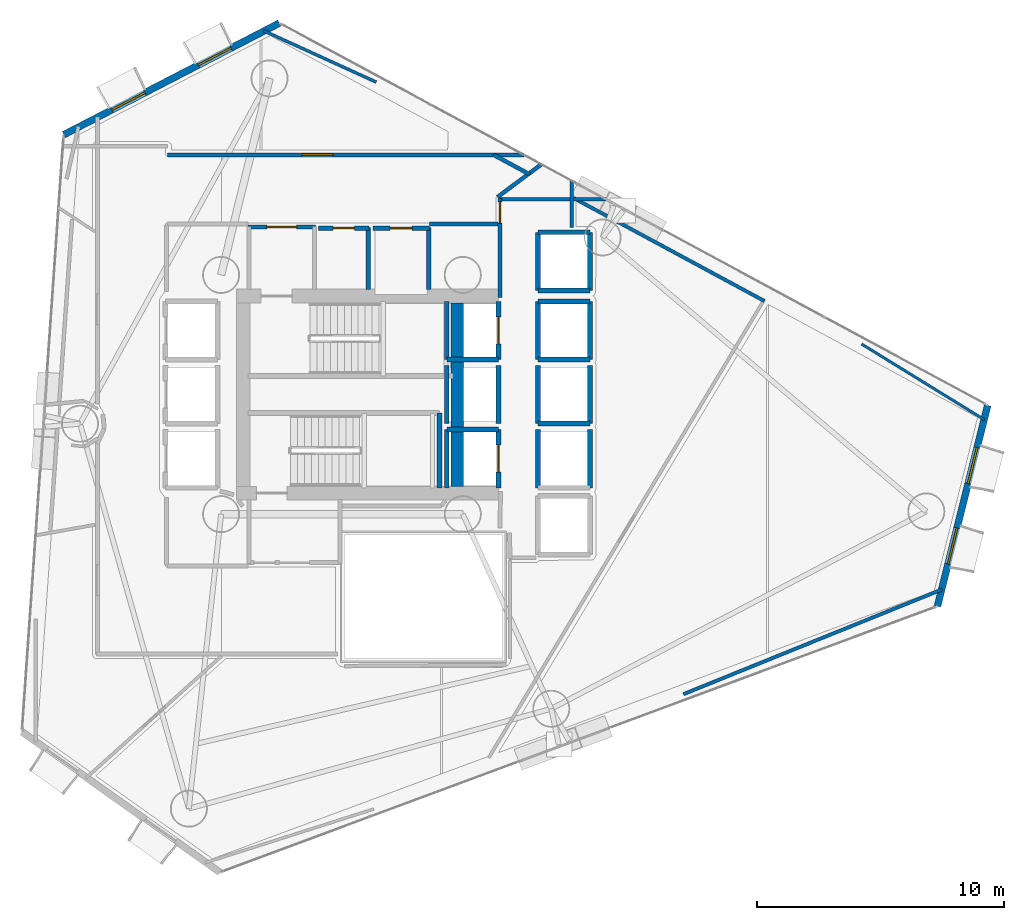
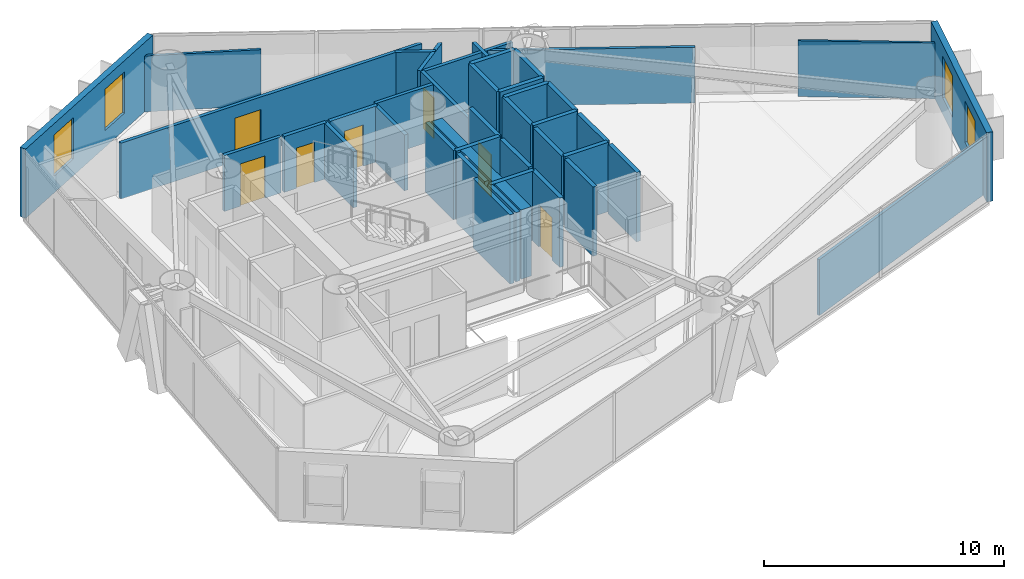
# One storey, part 17 of 21: 41 walls, 7 doors, 4 windows, 11 openings.
"""IFC4 building model written with IfcOpenShell, lengths in metres."""

import ifcopenshell
import ifcopenshell.guid

model = None  # the IFC model being written
_history = None  # IfcOwnerHistory: only IFC2X3 demands one
_inside = {}  # id of a spatial element -> (the spatial element, [elements in it])
_under = {}  # id of a project, library or spatial element -> (it, [spatial elements below it])
_declared = {}  # id of a project -> (the project, [libraries it declares])
_typed = {}  # id of a type object -> (the type object, [elements of that type])
_made_of = {}  # id of a material, layer set ... -> (it, [elements and type objects made of it])


def new_model(schema):
    """Start an empty IFC model of exactly this schema.

    Asked for "IFC4X3", IfcOpenShell would pick the latest addendum, in which some entities
    have other attributes; the version numbers below select the first issue.
    IFC2X3 requires an IfcOwnerHistory on every rooted entity: one is made here for all.
    """
    global model, _history
    if schema == "IFC4X3":
        model = ifcopenshell.file(schema_version=(4, 3, 0, 0))
    else:
        model = ifcopenshell.file(schema=schema)
    _inside.clear()
    _under.clear()
    _declared.clear()
    _typed.clear()
    _made_of.clear()
    _history = None
    if model.schema == "IFC2X3":
        org = make("IfcOrganization", Name="unknown")
        user = make(
            "IfcPersonAndOrganization",
            ThePerson=make("IfcPerson", FamilyName="unknown"),
            TheOrganization=org,
        )
        app = make(
            "IfcApplication",
            ApplicationDeveloper=org,
            Version="unknown",
            ApplicationFullName="unknown",
            ApplicationIdentifier="unknown",
        )
        _history = make(
            "IfcOwnerHistory",
            OwningUser=user,
            OwningApplication=app,
            ChangeAction="ADDED",
            CreationDate=0,
        )
    return model


def make(cls, **values):
    """One entity of the class cls with the attributes given. An attribute that is None is left unset."""
    return model.create_entity(
        cls, **{name: value for name, value in values.items() if value is not None}
    )


def rooted(cls, **values):
    """An entity with a GlobalId (a new one), such as an element, a storey or a relation."""
    return make(cls, GlobalId=ifcopenshell.guid.new(), OwnerHistory=_history, **values)


def si_unit(unit_type, name, prefix=None):
    """IfcSIUnit, for example si_unit("LENGTHUNIT", "METRE", prefix="MILLI")."""
    return make("IfcSIUnit", UnitType=unit_type, Prefix=prefix, Name=name)


def assignment(units):
    """IfcUnitAssignment: the units of a project."""
    return None if units is None else make("IfcUnitAssignment", Units=units)


def point(xyz):
    """IfcCartesianPoint."""
    return None if xyz is None else make("IfcCartesianPoint", Coordinates=xyz)


def direction(xyz):
    """IfcDirection."""
    return None if xyz is None else make("IfcDirection", DirectionRatios=xyz)


def frame(location, z_axis=None, x_axis=None):
    """IfcAxis2Placement3D, a coordinate frame: its origin and axes. An axis left out is left unset."""
    return make(
        "IfcAxis2Placement3D",
        Location=point(location),
        Axis=direction(z_axis),
        RefDirection=direction(x_axis),
    )


def frame_2d(location, x_axis=None):
    """IfcAxis2Placement2D, a coordinate frame in the plane: its origin and x axis."""
    return make(
        "IfcAxis2Placement2D", Location=point(location), RefDirection=direction(x_axis)
    )


def origin():
    """The frame at (0, 0, 0) with its axes left unset."""
    return frame((0.0, 0.0, 0.0))


def place(relative_to, where):
    """IfcLocalPlacement: puts the frame where relative to a parent placement (None: the world)."""
    return make(
        "IfcLocalPlacement", PlacementRelTo=relative_to, RelativePlacement=where
    )


def context(
    kind, dimensions, precision=None, world=None, true_north=None, identifier=None
):
    """IfcGeometricRepresentationContext, for example the 3D "Model" context."""
    return make(
        "IfcGeometricRepresentationContext",
        ContextIdentifier=identifier,
        ContextType=kind,
        CoordinateSpaceDimension=dimensions,
        Precision=precision,
        WorldCoordinateSystem=world,
        TrueNorth=true_north,
    )


def subcontext(parent, identifier, kind, view, scale=None):
    """IfcGeometricRepresentationSubContext, for example "Body" below "Model"."""
    return make(
        "IfcGeometricRepresentationSubContext",
        ContextIdentifier=identifier,
        ContextType=kind,
        ParentContext=parent,
        TargetScale=scale,
        TargetView=view,
    )


def project(units=None, contexts=None):
    """IfcProject with its units and contexts."""
    return rooted(
        "IfcProject",
        Name="project",
        RepresentationContexts=contexts,
        UnitsInContext=assignment(units),
    )


def spatial(cls, under=None, at=None, **own):
    """A site, building, storey or space (cls), placed at a placement, below another one or the project."""
    s = rooted(cls, ObjectPlacement=at, **own)
    if under is not None:
        _under.setdefault(under.id(), (under, []))[1].append(s)
    return s


def profile(cls, at=None, kind="AREA", **sizes):
    """A parametric profile (cls). Its sizes go by their IFC names, for example OverallWidth=200.0."""
    return make(cls, ProfileType=kind, Position=at, **sizes)


def rectangle(**sizes):
    """IfcRectangleProfileDef."""
    return profile("IfcRectangleProfileDef", **sizes)


def extrude(swept, where, along, depth):
    """IfcExtrudedAreaSolid: the profile swept, set in the frame where, extruded along a direction by depth."""
    return make(
        "IfcExtrudedAreaSolid",
        SweptArea=swept,
        Position=where,
        ExtrudedDirection=direction(along),
        Depth=depth,
    )


def shape(context_of_items, identifier, shape_type, items):
    """IfcShapeRepresentation: the items that make up one representation, for example the "Body"."""
    return make(
        "IfcShapeRepresentation",
        ContextOfItems=context_of_items,
        RepresentationIdentifier=identifier,
        RepresentationType=shape_type,
        Items=items,
    )


def material(Name=None, Category=None):
    """IfcMaterial."""
    return make("IfcMaterial", Name=Name, Category=Category)


def layer(
    of_material, thickness, ventilated=None, Name=None, Category=None, Priority=None
):
    """IfcMaterialLayer: one layer of a wall or slab, of a material (None: an air gap)."""
    return make(
        "IfcMaterialLayer",
        Material=of_material,
        LayerThickness=thickness,
        IsVentilated=ventilated,
        Name=Name,
        Category=Category,
        Priority=Priority,
    )


def layer_set(layers, Name=None):
    """IfcMaterialLayerSet."""
    return make("IfcMaterialLayerSet", MaterialLayers=layers, LayerSetName=Name)


def made_of(thing, what):
    """Note that an element or type object is made of a material, layer set ...; save() writes the relation."""
    if what is not None:
        _made_of.setdefault(what.id(), (what, []))[1].append(thing)
    return thing


def type_object(cls, material=None, **own):
    """A type object (cls), such as IfcWallType, which elements share."""
    return made_of(rooted(cls, **own), material)


def element(
    cls,
    number,
    at=None,
    inside=None,
    cuts=None,
    type_object=None,
    material=None,
    context=None,
    identifier="Body",
    shape_type=None,
    held_by="IfcProductDefinitionShape",
    body=None,
    shapes=None,
    **own,
):
    """One element of the class cls, such as IfcWall. Its Tag is "e" and its number.

    at: its placement. inside: the storey or other place that contains it. cuts: it is an
    opening in that element (IfcRelVoidsElement). A single representation is given by context,
    identifier, shape_type and body (its items); several are given by shapes. held_by: the class
    of the entity that holds the representations. save() writes the other relations.
    """
    e = rooted(cls, Tag="e%d" % number, ObjectPlacement=at, **own)
    if body is not None:
        shapes = [shape(context, identifier, shape_type, body)]
    if shapes is not None:
        e.Representation = make(held_by, Representations=shapes)
    if inside is not None:
        _inside.setdefault(inside.id(), (inside, []))[1].append(e)
    if cuts is not None:
        rooted(
            "IfcRelVoidsElement", RelatingBuildingElement=cuts, RelatedOpeningElement=e
        )
    if type_object is not None:
        _typed.setdefault(type_object.id(), (type_object, []))[1].append(e)
    return made_of(e, material)


def fill(opening, filler):
    """IfcRelFillsElement: the door or window that sits in an opening."""
    return rooted(
        "IfcRelFillsElement",
        RelatingOpeningElement=opening,
        RelatedBuildingElement=filler,
    )


def aggregate(whole, parts):
    """IfcRelAggregates: a whole, such as a stair, and the parts it consists of."""
    return rooted("IfcRelAggregates", RelatingObject=whole, RelatedObjects=parts)


def save(model, path):
    """Write the relations noted so far, then the file.

    IfcRelAggregates (storeys below a building ...), IfcRelContainedInSpatialStructure (elements
    in a storey), IfcRelDefinesByType, IfcRelAssociatesMaterial and IfcRelDeclares: one each for
    every whole, place, type object, material and project.
    """
    for whole, parts in _under.values():
        aggregate(whole, parts)
    for where, things in _inside.values():
        rooted(
            "IfcRelContainedInSpatialStructure",
            RelatedElements=things,
            RelatingStructure=where,
        )
    for kind, things in _typed.values():
        rooted("IfcRelDefinesByType", RelatedObjects=things, RelatingType=kind)
    for what, things in _made_of.values():
        rooted("IfcRelAssociatesMaterial", RelatedObjects=things, RelatingMaterial=what)
    for by, libraries in _declared.values():
        rooted("IfcRelDeclares", RelatingContext=by, RelatedDefinitions=libraries)
    model.write(path)


model = new_model("IFC4")

# Units and contexts
model_context = context("Model", 3, precision=1e-05, world=origin(), true_north=direction((0.0, 1.0)))
body_context = subcontext(model_context, "Body", "Model", "MODEL_VIEW")
ifc_project = project(units=[si_unit("LENGTHUNIT", "METRE"), si_unit("AREAUNIT", "SQUARE_METRE"), si_unit("VOLUMEUNIT", "CUBIC_METRE"), si_unit("PLANEANGLEUNIT", "RADIAN"), si_unit("MASSUNIT", "GRAM", prefix="KILO")], contexts=[model_context])

# Site, building, storey
site_placement = place(None, origin())
site = spatial("IfcSite", under=ifc_project, at=site_placement, CompositionType="ELEMENT")
building_placement = place(site_placement, origin())
building = spatial("IfcBuilding", under=site, at=building_placement, Name="Qianvela Tower", CompositionType="ELEMENT")
storey_placement = place(building_placement, frame((0.0, 0.0, 127.39990234375)))
storey = spatial("IfcBuildingStorey", under=building, at=storey_placement, Name="L32", CompositionType="ELEMENT", Elevation=127.39990234375)

# Wall, openings, windows
ifc_material_1 = material(Name="Terracotta Cladding on Concrete C40", Category="masonry")
ifc_layer_1 = layer(ifc_material_1, 0.280029296875)
ifc_layer_set_1 = layer_set([ifc_layer_1], Name="Terracotta Cladding on Concrete C40")
wall_type_1 = type_object("IfcWallType", Name="TERRACOTTA-WALL-280", PredefinedType="SOLIDWALL", material=ifc_layer_set_1)
wall_1_placement = place(storey_placement, frame((57.651123046875, 20.1162109375, 0.0), z_axis=(0.0, 0.0, 1.0), x_axis=(0.242323480978, 0.970195511516, 0.0)))
wall_1 = element("IfcWall", 1, at=wall_1_placement, inside=storey, type_object=wall_type_1, Name="L32 Terracotta Chamfer Facet Wall 1", PredefinedType="SOLIDWALL", context=body_context, shape_type="SweptSolid", body=[
    extrude(rectangle(XDim=8.39453125, YDim=0.280029296875, at=frame_2d((4.197265625, 0.0))), origin(), (0.0, 0.0, 1.0), 3.52001953125),
])
opening_1_placement = place(wall_1_placement, frame((1.768310546875, 0.0, 0.85009765625)))
opening_1 = element("IfcOpeningElement", 2, at=opening_1_placement, cuts=wall_1, Name="Opening W-02", PredefinedType="OPENING", context=body_context, shape_type="SweptSolid", body=[
    extrude(rectangle(XDim=1.5, YDim=2.10009765625, at=frame_2d((0.75, 1.050048828125))), frame((0.0, 0.14990234375, 0.0), z_axis=(0.0, -1.0, 0.0), x_axis=(1.0, 0.0, 0.0)), (0.0, 0.0, 1.0), 0.300048828125),
])
opening_2_placement = place(wall_1_placement, frame((5.126220703125, 0.0, 0.85009765625)))
opening_2 = element("IfcOpeningElement", 3, at=opening_2_placement, cuts=wall_1, Name="Opening W-02", PredefinedType="OPENING", context=body_context, shape_type="SweptSolid", body=[
    extrude(rectangle(XDim=1.5, YDim=2.10009765625, at=frame_2d((0.75, 1.050048828125))), frame((0.0, 0.14990234375, 0.0), z_axis=(0.0, -1.0, 0.0), x_axis=(1.0, 0.0, 0.0)), (0.0, 0.0, 1.0), 0.300048828125),
])
ifc_material_2 = material(Name="Thermally Broken Aluminium and Low-E Glass", Category="aluminium")
window_type = type_object("IfcWindowType", Name="WIN-TC-1500x2100", PartitioningType="DOUBLE_PANEL_VERTICAL", PredefinedType="WINDOW", material=ifc_material_2)
window_1_placement = place(opening_1_placement, origin())
window_1 = element("IfcWindow", 4, at=window_1_placement, inside=storey, type_object=window_type, Name="L32 Chamfer Facet Window 1.1", OverallHeight=2.10009765625, OverallWidth=1.5, PartitioningType="SINGLE_PANEL", PredefinedType="WINDOW", context=body_context, shape_type="SweptSolid", body=[
    extrude(rectangle(XDim=1.5, YDim=2.10009765625, at=frame_2d((0.75, 1.050048828125))), frame((0.0, 0.030029296875, 0.0), z_axis=(0.0, -1.0, 0.0), x_axis=(1.0, 0.0, 0.0)), (0.0, 0.0, 1.0), 0.06005859375),
])
fill(opening_1, window_1)
window_2_placement = place(opening_2_placement, origin())
window_2 = element("IfcWindow", 5, at=window_2_placement, inside=storey, type_object=window_type, Name="L32 Chamfer Facet Window 1.2", OverallHeight=2.10009765625, OverallWidth=1.5, PartitioningType="SINGLE_PANEL", PredefinedType="WINDOW", context=body_context, shape_type="SweptSolid", body=[
    extrude(rectangle(XDim=1.5, YDim=2.10009765625, at=frame_2d((0.75, 1.050048828125))), frame((0.0, 0.030029296875, 0.0), z_axis=(0.0, -1.0, 0.0), x_axis=(1.0, 0.0, 0.0)), (0.0, 0.0, 1.0), 0.06005859375),
])
fill(opening_2, window_2)

wall_2_placement = place(storey_placement, frame((30.95703125, 43.76318359375, 0.0), z_axis=(0.0, 0.0, 1.0), x_axis=(-0.887929817934, -0.459978954327, 0.0)))
wall_2 = element("IfcWall", 6, at=wall_2_placement, inside=storey, type_object=wall_type_1, Name="L32 Terracotta Chamfer Facet Wall 3", PredefinedType="SOLIDWALL", context=body_context, shape_type="SweptSolid", body=[
    extrude(rectangle(XDim=9.8408203125, YDim=0.280029296875, at=frame_2d((4.92041015625, 0.0))), origin(), (0.0, 0.0, 1.0), 3.52001953125),
])
opening_3_placement = place(wall_2_placement, frame((2.202392578125, 0.0, 0.85009765625)))
opening_3 = element("IfcOpeningElement", 7, at=opening_3_placement, cuts=wall_2, Name="Opening W-02", PredefinedType="OPENING", context=body_context, shape_type="SweptSolid", body=[
    extrude(rectangle(XDim=1.5, YDim=2.10009765625, at=frame_2d((0.75, 1.050048828125))), frame((0.0, 0.14990234375, 0.0), z_axis=(0.0, -1.0, 0.0), x_axis=(1.0, 0.0, 0.0)), (0.0, 0.0, 1.0), 0.300048828125),
])
opening_4_placement = place(wall_2_placement, frame((6.138671875, 0.0, 0.85009765625)))
opening_4 = element("IfcOpeningElement", 8, at=opening_4_placement, cuts=wall_2, Name="Opening W-02", PredefinedType="OPENING", context=body_context, shape_type="SweptSolid", body=[
    extrude(rectangle(XDim=1.5, YDim=2.10009765625, at=frame_2d((0.75, 1.050048828125))), frame((0.0, 0.14990234375, 0.0), z_axis=(0.0, -1.0, 0.0), x_axis=(1.0, 0.0, 0.0)), (0.0, 0.0, 1.0), 0.300048828125),
])
window_3_placement = place(opening_3_placement, origin())
window_3 = element("IfcWindow", 9, at=window_3_placement, inside=storey, type_object=window_type, Name="L32 Chamfer Facet Window 3.1", OverallHeight=2.10009765625, OverallWidth=1.5, PartitioningType="SINGLE_PANEL", PredefinedType="WINDOW", context=body_context, shape_type="SweptSolid", body=[
    extrude(rectangle(XDim=1.5, YDim=2.10009765625, at=frame_2d((0.75, 1.050048828125))), frame((0.0, 0.030029296875, 0.0), z_axis=(0.0, -1.0, 0.0), x_axis=(1.0, 0.0, 0.0)), (0.0, 0.0, 1.0), 0.06005859375),
])
fill(opening_3, window_3)
window_4_placement = place(opening_4_placement, origin())
window_4 = element("IfcWindow", 10, at=window_4_placement, inside=storey, type_object=window_type, Name="L32 Chamfer Facet Window 3.2", OverallHeight=2.10009765625, OverallWidth=1.5, PartitioningType="SINGLE_PANEL", PredefinedType="WINDOW", context=body_context, shape_type="SweptSolid", body=[
    extrude(rectangle(XDim=1.5, YDim=2.10009765625, at=frame_2d((0.75, 1.050048828125))), frame((0.0, 0.030029296875, 0.0), z_axis=(0.0, -1.0, 0.0), x_axis=(1.0, 0.0, 0.0)), (0.0, 0.0, 1.0), 0.06005859375),
])
fill(opening_4, window_4)

# Wall
ifc_material_3 = material(Name="Concrete C60", Category="concrete")
ifc_layer_2 = layer(ifc_material_3, 0.550048828125)
ifc_layer_set_2 = layer_set([ifc_layer_2], Name="Concrete C60")
wall_type_2 = type_object("IfcWallType", Name="WT-CORE-550", PredefinedType="SHEAR", material=ifc_layer_set_2)
wall_3_placement = place(storey_placement, frame((38.179931640625, 24.97998046875, 0.0), z_axis=(0.0, 0.0, 1.0), x_axis=(0.0, 1.0, 0.0)))
element("IfcWall", 11, at=wall_3_placement, inside=storey, type_object=wall_type_2, Name="L32 East Spine Core Shear Wall", PredefinedType="SHEAR", context=body_context, shape_type="SweptSolid", body=[
    extrude(rectangle(XDim=7.43994140625, YDim=0.5, at=frame_2d((3.719970703125, 0.0))), origin(), (0.0, 0.0, 1.0), 3.52001953125),
])

# Wall, opening, door
ifc_material_4 = material(Name="Fire-Rated Gypsum and Concrete Block", Category="concrete")
ifc_layer_3 = layer(ifc_material_4, 0.159912109375)
ifc_layer_set_3 = layer_set([ifc_layer_3], Name="Fire-Rated Gypsum and Concrete Block")
wall_type_3 = type_object("IfcWallType", Name="WT-CORR-160", PredefinedType="PARTITIONING", material=ifc_layer_set_3)
wall_4_placement = place(storey_placement, frame((29.699951171875, 35.489013671875, 0.0), z_axis=(0.0, 0.0, 1.0), x_axis=(1.0, 0.0, 0.0)))
wall_4 = element("IfcWall", 12, at=wall_4_placement, inside=storey, type_object=wall_type_3, Name="L32 Partition 3", PredefinedType="PARTITIONING", context=body_context, shape_type="SweptSolid", body=[
    extrude(rectangle(XDim=2.719970703125, YDim=0.159912109375, at=frame_2d((1.35986328125, 0.0))), origin(), (0.0, 0.0, 1.0), 2.840087890625),
])
opening_5_placement = place(wall_4_placement, frame((0.760009765625, 0.0, 0.0)))
opening_5 = element("IfcOpeningElement", 13, at=opening_5_placement, cuts=wall_4, Name="Opening D-LB1", PredefinedType="OPENING", context=body_context, shape_type="SweptSolid", body=[
    extrude(rectangle(XDim=1.199951171875, YDim=2.14990234375, at=frame_2d((0.60009765625, 1.074951171875))), frame((0.0, 0.08984375, 0.0), z_axis=(0.0, -1.0, 0.0), x_axis=(1.0, 0.0, 0.0)), (0.0, 0.0, 1.0), 0.179931640625),
])
ifc_material_5 = material(Name="Glazed Fire-Rated Steel Frame", Category="steel")
door_type_1 = type_object("IfcDoorType", Name="DT-LOBBY-FD90", OperationType="NOTDEFINED", PredefinedType="DOOR", material=ifc_material_5)
door_1_placement = place(opening_5_placement, origin())
door_1 = element("IfcDoor", 14, at=door_1_placement, inside=storey, type_object=door_type_1, Name="L32 Door L32 Firefighting Lobby North to L32 Floor Corridor", OperationType="SINGLE_SWING_RIGHT", OverallHeight=2.14990234375, OverallWidth=1.199951171875, PredefinedType="DOOR", context=body_context, shape_type="SweptSolid", body=[
    extrude(rectangle(XDim=1.199951171875, YDim=2.14990234375, at=frame_2d((0.60009765625, 1.074951171875))), frame((0.0, 0.02490234375, 0.0), z_axis=(0.0, -1.0, 0.0), x_axis=(1.0, 0.0, 0.0)), (0.0, 0.0, 1.0), 0.050048828125),
])
fill(opening_5, door_1)

wall_5_placement = place(storey_placement, frame((39.910888671875, 32.639892578125, 0.0), z_axis=(0.0, 0.0, 1.0), x_axis=(0.0, 1.0, 0.0)))
wall_5 = element("IfcWall", 15, at=wall_5_placement, inside=storey, type_object=wall_type_3, Name="L32 Partition 10", PredefinedType="PARTITIONING", context=body_context, shape_type="SweptSolid", body=[
    extrude(rectangle(XDim=4.010009765625, YDim=0.159912109375, at=frame_2d((2.0048828125, 0.0))), origin(), (0.0, 0.0, 1.0), 2.840087890625),
])
opening_6_placement = place(wall_5_placement, frame((3.010009765625, 0.0, 0.0)))
opening_6 = element("IfcOpeningElement", 16, at=opening_6_placement, cuts=wall_5, Name="Opening D-LB2", PredefinedType="OPENING", context=body_context, shape_type="SweptSolid", body=[
    extrude(rectangle(XDim=0.860107421875, YDim=2.050048828125, at=frame_2d((0.43017578125, 1.02490234375))), frame((0.0, 0.08984375, 0.0), z_axis=(0.0, -1.0, 0.0), x_axis=(1.0, 0.0, 0.0)), (0.0, 0.0, 1.0), 0.179931640625),
])
ifc_material_6 = material(Name="Insulated Steel Fire Door Q355B", Category="steel")
door_type_2 = type_object("IfcDoorType", Name="DT-LOBBY-FD90-860", OperationType="NOTDEFINED", PredefinedType="DOOR", material=ifc_material_6)
door_2_placement = place(opening_6_placement, origin())
door_2 = element("IfcDoor", 17, at=door_2_placement, inside=storey, type_object=door_type_2, Name="L32 Door L32 Lift Lobby to L32 Floor Corridor", OperationType="SINGLE_SWING_RIGHT", OverallHeight=2.050048828125, OverallWidth=0.860107421875, PredefinedType="DOOR", context=body_context, shape_type="SweptSolid", body=[
    extrude(rectangle(XDim=0.860107421875, YDim=2.050048828125, at=frame_2d((0.43017578125, 1.02490234375))), frame((0.0, 0.02490234375, 0.0), z_axis=(0.0, -1.0, 0.0), x_axis=(1.0, 0.0, 0.0)), (0.0, 0.0, 1.0), 0.050048828125),
])
fill(opening_6, door_2)

# Walls
wall_6_placement = place(storey_placement, frame((39.8798828125, 36.618896484375, 0.0), z_axis=(0.0, 0.0, 1.0), x_axis=(1.0, 0.0, 0.0)))
element("IfcWall", 18, at=wall_6_placement, inside=storey, type_object=wall_type_3, Name="L32 Partition 11", PredefinedType="PARTITIONING", context=body_context, shape_type="SweptSolid", body=[
    extrude(rectangle(XDim=4.336181640625, YDim=0.159912109375, at=frame_2d((2.16796875, 0.0))), origin(), (0.0, 0.0, 1.0), 2.840087890625),
])
wall_7_placement = place(storey_placement, frame((42.819091796875, 37.382080078125, 0.0), z_axis=(0.0, 0.0, 1.0), x_axis=(0.0, -1.0, 0.0)))
element("IfcWall", 19, at=wall_7_placement, inside=storey, type_object=wall_type_3, Name="L32 Partition 12", PredefinedType="PARTITIONING", context=body_context, shape_type="SweptSolid", body=[
    extrude(rectangle(XDim=1.902099609375, YDim=0.159912109375, at=frame_2d((0.951171875, 0.0))), origin(), (0.0, 0.0, 1.0), 2.840087890625),
])

# Wall, opening, door
wall_8_placement = place(storey_placement, frame((26.419921875, 38.4189453125, 0.0), z_axis=(0.0, 0.0, 1.0), x_axis=(1.0, 0.0, 0.0)))
wall_8 = element("IfcWall", 20, at=wall_8_placement, inside=storey, type_object=wall_type_3, Name="L32 Partition 42", PredefinedType="PARTITIONING", context=body_context, shape_type="SweptSolid", body=[
    extrude(rectangle(XDim=14.460693359375, YDim=0.159912109375, at=frame_2d((7.23046875, 0.0))), origin(), (0.0, 0.0, 1.0), 2.840087890625),
])
opening_7_placement = place(wall_8_placement, frame((5.4677734375, 0.0, 0.0)))
opening_7 = element("IfcOpeningElement", 21, at=opening_7_placement, cuts=wall_8, Name="Opening D-LG1", PredefinedType="OPENING", context=body_context, shape_type="SweptSolid", body=[
    extrude(rectangle(XDim=1.25, YDim=2.199951171875, at=frame_2d((0.625, 1.10009765625))), frame((0.0, 0.08984375, 0.0), z_axis=(0.0, -1.0, 0.0), x_axis=(1.0, 0.0, 0.0)), (0.0, 0.0, 1.0), 0.179931640625),
])
ifc_material_7 = material(Name="Anodised Aluminium Acoustic Glass Door", Category="aluminium")
door_type_3 = type_object("IfcDoorType", Name="DT-LOUNGE-1250", OperationType="NOTDEFINED", PredefinedType="DOOR", material=ifc_material_7)
door_3_placement = place(opening_7_placement, origin())
door_3 = element("IfcDoor", 22, at=door_3_placement, inside=storey, type_object=door_type_3, Name="L32 Door Quiet Reading Study L32-02 to L32 Floor Corridor", OperationType="SINGLE_SWING_LEFT", OverallHeight=2.199951171875, OverallWidth=1.25, PredefinedType="DOOR", context=body_context, shape_type="SweptSolid", body=[
    extrude(rectangle(XDim=1.25, YDim=2.199951171875, at=frame_2d((0.625, 1.10009765625))), frame((0.0, 0.02490234375, 0.0), z_axis=(0.0, -1.0, 0.0), x_axis=(1.0, 0.0, 0.0)), (0.0, 0.0, 1.0), 0.050048828125),
])
fill(opening_7, door_3)

# Walls
wall_9_placement = place(storey_placement, frame((39.640869140625, 38.422607421875, 0.0), z_axis=(0.0, 0.0, 1.0), x_axis=(0.880063734577, -0.474855581289, 0.0)))
element("IfcWall", 23, at=wall_9_placement, inside=storey, type_object=wall_type_3, Name="L32 Partition 43", PredefinedType="PARTITIONING", context=body_context, shape_type="SweptSolid", body=[
    extrude(rectangle(XDim=1.675537109375, YDim=0.159912109375, at=frame_2d((0.837890625, 0.0))), origin(), (0.0, 0.0, 1.0), 2.840087890625),
])
wall_10_placement = place(storey_placement, frame((41.59814453125, 38.04150390625, 0.0), z_axis=(0.0, 0.0, 1.0), x_axis=(-0.801927049696, -0.597421967261, 0.0)))
element("IfcWall", 24, at=wall_10_placement, inside=storey, type_object=wall_type_3, Name="L32 Partition 44", PredefinedType="PARTITIONING", context=body_context, shape_type="SweptSolid", body=[
    extrude(rectangle(XDim=2.22998046875, YDim=0.159912109375, at=frame_2d((1.114990234375, 0.0))), origin(), (0.0, 0.0, 1.0), 2.840087890625),
])
wall_11_placement = place(storey_placement, frame((39.818115234375, 35.611083984375, 0.0), z_axis=(0.0, 0.0, 1.0), x_axis=(-1.0, 0.0, 0.0)))
element("IfcWall", 25, at=wall_11_placement, inside=storey, type_object=wall_type_3, Name="L32 Partition 46 seg 1", PredefinedType="PARTITIONING", context=body_context, shape_type="SweptSolid", body=[
    extrude(rectangle(XDim=2.76806640625, YDim=0.159912109375, at=frame_2d((1.384033203125, 0.0))), origin(), (0.0, 0.0, 1.0), 2.840087890625),
])
ifc_material_8 = material(Name="Lightweight Gypsum Room Partition")
ifc_layer_4 = layer(ifc_material_8, 0.10498046875)
ifc_layer_set_4 = layer_set([ifc_layer_4], Name="Lightweight Gypsum Room Partition")
wall_type_4 = type_object("IfcWallType", Name="WT-PART-105", PredefinedType="PARTITIONING", material=ifc_layer_set_4)
wall_12_placement = place(storey_placement, frame((54.571044921875, 30.74755859375, 0.0), z_axis=(0.0, 0.0, 1.0), x_axis=(0.851354831439, -0.524590269625, 0.0)))
element("IfcWall", 26, at=wall_12_placement, inside=storey, type_object=wall_type_4, Name="L32 Partition 101 seg 1", PredefinedType="PARTITIONING", context=body_context, shape_type="SweptSolid", body=[
    extrude(rectangle(XDim=5.8583984375, YDim=0.10498046875, at=frame_2d((2.92919921875, 0.0))), origin(), (0.0, 0.0, 1.0), 2.840087890625),
])
ifc_material_9 = material(Name="Insulated Gypsum Stud Partition")
ifc_layer_5 = layer(ifc_material_9, 0.1201171875)
ifc_layer_set_5 = layer_set([ifc_layer_5], Name="Insulated Gypsum Stud Partition")
wall_type_5 = type_object("IfcWallType", Name="WT-PART-120", PredefinedType="PARTITIONING", material=ifc_layer_set_5)
wall_13_placement = place(storey_placement, frame((30.32080078125, 43.4521484375, 0.0), z_axis=(0.0, 0.0, 1.0), x_axis=(0.909842881597, -0.414952926013, 0.0)))
element("IfcWall", 27, at=wall_13_placement, inside=storey, type_object=wall_type_5, Name="L32 Partition 61 seg 1", PredefinedType="PARTITIONING", context=body_context, shape_type="SweptSolid", body=[
    extrude(rectangle(XDim=5.02099609375, YDim=0.1201171875, at=frame_2d((2.510498046875, 0.0))), origin(), (0.0, 0.0, 1.0), 2.840087890625),
])

# Wall, opening, door
ifc_material_10 = material(Name="Moisture-Resistant Acoustic Plumbing Wall")
ifc_layer_6 = layer(ifc_material_10, 0.175048828125)
ifc_layer_set_6 = layer_set([ifc_layer_6], Name="Moisture-Resistant Acoustic Plumbing Wall")
wall_type_6 = type_object("IfcWallType", Name="WT-PLUMB-175", PredefinedType="PLUMBINGWALL", material=ifc_layer_set_6)
wall_14_placement = place(storey_placement, frame((32.550048828125, 35.448974609375, 0.0), z_axis=(0.0, 0.0, 1.0), x_axis=(1.0, 0.0, 0.0)))
wall_14 = element("IfcWall", 28, at=wall_14_placement, inside=storey, type_object=wall_type_6, Name="L32 Partition 20", PredefinedType="PLUMBINGWALL", context=body_context, shape_type="SweptSolid", body=[
    extrude(rectangle(XDim=2.050048828125, YDim=0.175048828125, at=frame_2d((1.02490234375, 0.0))), origin(), (0.0, 0.0, 1.0), 2.840087890625),
])
opening_8_placement = place(wall_14_placement, frame((0.594970703125, 0.0, 0.0)))
opening_8 = element("IfcOpeningElement", 29, at=opening_8_placement, cuts=wall_14, Name="Opening D-WC1", PredefinedType="OPENING", context=body_context, shape_type="SweptSolid", body=[
    extrude(rectangle(XDim=0.860107421875, YDim=2.050048828125, at=frame_2d((0.43017578125, 1.02490234375))), frame((0.0, 0.097412109375, 0.0), z_axis=(0.0, -1.0, 0.0), x_axis=(1.0, 0.0, 0.0)), (0.0, 0.0, 1.0), 0.195068359375),
])
ifc_material_11 = material(Name="Moisture-Sealed Acoustic Timber Door", Category="wood")
door_type_4 = type_object("IfcDoorType", Name="DT-WC-860", OperationType="NOTDEFINED", PredefinedType="DOOR", material=ifc_material_11)
door_4_placement = place(opening_8_placement, origin())
door_4 = element("IfcDoor", 30, at=door_4_placement, inside=storey, type_object=door_type_4, Name="L32 Door L32 Accessible WC to L32 Floor Corridor", OperationType="SINGLE_SWING_LEFT", OverallHeight=2.050048828125, OverallWidth=0.860107421875, PredefinedType="DOOR", context=body_context, shape_type="SweptSolid", body=[
    extrude(rectangle(XDim=0.860107421875, YDim=2.050048828125, at=frame_2d((0.43017578125, 1.02490234375))), frame((0.0, 0.02490234375, 0.0), z_axis=(0.0, -1.0, 0.0), x_axis=(1.0, 0.0, 0.0)), (0.0, 0.0, 1.0), 0.050048828125),
])
fill(opening_8, door_4)

# Wall
wall_15_placement = place(storey_placement, frame((34.569091796875, 35.47998046875, 0.0), z_axis=(0.0, 0.0, 1.0), x_axis=(0.0, -1.0, 0.0)))
element("IfcWall", 31, at=wall_15_placement, inside=storey, type_object=wall_type_6, Name="L32 Partition 21", PredefinedType="PLUMBINGWALL", context=body_context, shape_type="SweptSolid", body=[
    extrude(rectangle(XDim=2.52197265625, YDim=0.175048828125, at=frame_2d((1.260986328125, 0.0))), origin(), (0.0, 0.0, 1.0), 2.840087890625),
])

# Wall, opening, door
wall_16_placement = place(storey_placement, frame((34.75, 35.448974609375, 0.0), z_axis=(0.0, 0.0, 1.0), x_axis=(1.0, 0.0, 0.0)))
wall_16 = element("IfcWall", 32, at=wall_16_placement, inside=storey, type_object=wall_type_6, Name="L32 Partition 24", PredefinedType="PLUMBINGWALL", context=body_context, shape_type="SweptSolid", body=[
    extrude(rectangle(XDim=2.300048828125, YDim=0.175048828125, at=frame_2d((1.14990234375, 0.0))), origin(), (0.0, 0.0, 1.0), 2.840087890625),
])
opening_9_placement = place(wall_16_placement, frame((0.699951171875, 0.0, 0.0)))
opening_9 = element("IfcOpeningElement", 33, at=opening_9_placement, cuts=wall_16, Name="Opening D-KT1", PredefinedType="OPENING", context=body_context, shape_type="SweptSolid", body=[
    extrude(rectangle(XDim=0.89990234375, YDim=2.10009765625, at=frame_2d((0.449951171875, 1.050048828125))), frame((0.0, 0.097412109375, 0.0), z_axis=(0.0, -1.0, 0.0), x_axis=(1.0, 0.0, 0.0)), (0.0, 0.0, 1.0), 0.195068359375),
])
ifc_material_12 = material(Name="Glazed Timber Kitchen Door", Category="wood")
door_type_5 = type_object("IfcDoorType", Name="DT-KITCH-900", OperationType="NOTDEFINED", PredefinedType="DOOR", material=ifc_material_12)
door_5_placement = place(opening_9_placement, origin())
door_5 = element("IfcDoor", 34, at=door_5_placement, inside=storey, type_object=door_type_5, Name="L32 Door L32 Core Tea Pantry to L32 Floor Corridor", OperationType="SINGLE_SWING_RIGHT", OverallHeight=2.10009765625, OverallWidth=0.89990234375, PredefinedType="DOOR", context=body_context, shape_type="SweptSolid", body=[
    extrude(rectangle(XDim=0.89990234375, YDim=2.10009765625, at=frame_2d((0.449951171875, 1.050048828125))), frame((0.0, 0.02490234375, 0.0), z_axis=(0.0, -1.0, 0.0), x_axis=(1.0, 0.0, 0.0)), (0.0, 0.0, 1.0), 0.050048828125),
])
fill(opening_9, door_5)

# Walls
wall_17_placement = place(storey_placement, frame((37.01904296875, 35.47998046875, 0.0), z_axis=(0.0, 0.0, 1.0), x_axis=(0.0, -1.0, 0.0)))
element("IfcWall", 35, at=wall_17_placement, inside=storey, type_object=wall_type_6, Name="L32 Partition 25", PredefinedType="PLUMBINGWALL", context=body_context, shape_type="SweptSolid", body=[
    extrude(rectangle(XDim=2.52197265625, YDim=0.175048828125, at=frame_2d((1.260986328125, 0.0))), origin(), (0.0, 0.0, 1.0), 2.840087890625),
])
ifc_material_13 = material(Name="Acoustic Double Gypsum Stud Partition")
ifc_layer_7 = layer(ifc_material_13, 0.139892578125)
ifc_layer_set_7 = layer_set([ifc_layer_7], Name="Acoustic Double Gypsum Stud Partition")
wall_type_7 = type_object("IfcWallType", Name="WT-ROOM-140", PredefinedType="PARTITIONING", material=ifc_layer_set_7)
wall_18_placement = place(storey_placement, frame((42.905517578125, 36.660888671875, 0.0), z_axis=(0.0, 0.0, 1.0), x_axis=(0.880037490499, -0.474904216991, 0.0)))
element("IfcWall", 36, at=wall_18_placement, inside=storey, type_object=wall_type_7, Name="L32 Partition 87", PredefinedType="PARTITIONING", context=body_context, shape_type="SweptSolid", body=[
    extrude(rectangle(XDim=8.77587890625, YDim=0.139892578125, at=frame_2d((4.387939453125, 0.0))), origin(), (0.0, 0.0, 1.0), 2.840087890625),
])
wall_19_placement = place(storey_placement, frame((57.839111328125, 20.800048828125, 0.0), z_axis=(0.0, 0.0, 1.0), x_axis=(-0.926836238632, -0.375465826353, 0.0)))
element("IfcWall", 37, at=wall_19_placement, inside=storey, type_object=wall_type_7, Name="L32 Partition 99 seg 1", PredefinedType="PARTITIONING", context=body_context, shape_type="SweptSolid", body=[
    extrude(rectangle(XDim=11.3212890625, YDim=0.139892578125, at=frame_2d((5.66064453125, 0.0))), origin(), (0.0, 0.0, 1.0), 2.840087890625),
])
ifc_material_14 = material(Name="Concrete C50", Category="concrete")
ifc_layer_8 = layer(ifc_material_14, 0.199951171875)
ifc_layer_set_8 = layer_set([ifc_layer_8], Name="Concrete C50")
wall_type_8 = type_object("IfcWallType", Name="WT-SHAFT-200", PredefinedType="SOLIDWALL", material=ifc_layer_set_8)
wall_20_placement = place(storey_placement, frame((37.449951171875, 24.89990234375, 0.0), z_axis=(0.0, 0.0, 1.0), x_axis=(0.0, 1.0, 0.0)))
element("IfcWall", 38, at=wall_20_placement, inside=storey, type_object=wall_type_8, Name="L32 Stair ST-2 East Wall", PredefinedType="SOLIDWALL", context=body_context, shape_type="SweptSolid", body=[
    extrude(rectangle(XDim=3.06005859375, YDim=0.199951171875, at=frame_2d((1.530029296875, 0.0))), origin(), (0.0, 0.0, 1.0), 3.52001953125),
])

# Wall, opening, door
wall_21_placement = place(storey_placement, frame((39.85009765625, 30.1201171875, 0.0), z_axis=(0.0, 0.0, 1.0), x_axis=(0.0, 1.0, 0.0)))
wall_21 = element("IfcWall", 39, at=wall_21_placement, inside=storey, type_object=wall_type_8, Name="L32 Lift FL-1 E Shaft Wall", PredefinedType="SOLIDWALL", context=body_context, shape_type="SweptSolid", body=[
    extrude(rectangle(XDim=2.35986328125, YDim=0.199951171875, at=frame_2d((1.179931640625, 0.0))), origin(), (0.0, 0.0, 1.0), 3.52001953125),
])
opening_10_placement = place(wall_21_placement, frame((0.6298828125, 0.0, 0.0)))
opening_10 = element("IfcOpeningElement", 40, at=opening_10_placement, cuts=wall_21, Name="Opening LD-01", PredefinedType="OPENING", context=body_context, shape_type="SweptSolid", body=[
    extrude(rectangle(XDim=1.10009765625, YDim=2.14990234375, at=frame_2d((0.550048828125, 1.074951171875))), frame((0.0, 0.10986328125, 0.0), z_axis=(0.0, -1.0, 0.0), x_axis=(1.0, 0.0, 0.0)), (0.0, 0.0, 1.0), 0.219970703125),
])
ifc_material_15 = material(Name="Brushed Stainless Steel Lift Landing Door", Category="steel")
door_type_6 = type_object("IfcDoorType", Name="DT-LIFT-SLIDE-1100", OperationType="SLIDING_TO_LEFT", PredefinedType="DOOR", material=ifc_material_15)
door_6_placement = place(opening_10_placement, origin())
door_6 = element("IfcDoor", 41, at=door_6_placement, inside=storey, type_object=door_type_6, Name="L32 Lift FL-1 Sliding Landing Door", OperationType="SLIDING_TO_LEFT", OverallHeight=2.14990234375, OverallWidth=1.10009765625, PredefinedType="DOOR", context=body_context, shape_type="SweptSolid", body=[
    extrude(rectangle(XDim=1.10009765625, YDim=2.14990234375, at=frame_2d((0.550048828125, 1.074951171875))), frame((0.0, 0.02490234375, 0.0), z_axis=(0.0, -1.0, 0.0), x_axis=(1.0, 0.0, 0.0)), (0.0, 0.0, 1.0), 0.050048828125),
])
fill(opening_10, door_6)

# Walls
wall_22_placement = place(storey_placement, frame((37.75, 30.1201171875, 0.0), z_axis=(0.0, 0.0, 1.0), x_axis=(0.0, 1.0, 0.0)))
element("IfcWall", 42, at=wall_22_placement, inside=storey, type_object=wall_type_8, Name="L32 Lift FL-1 W Shaft Wall", PredefinedType="SOLIDWALL", context=body_context, shape_type="SweptSolid", body=[
    extrude(rectangle(XDim=2.35986328125, YDim=0.199951171875, at=frame_2d((1.179931640625, 0.0))), origin(), (0.0, 0.0, 1.0), 3.52001953125),
])
wall_23_placement = place(storey_placement, frame((37.75, 30.1201171875, 0.0), z_axis=(0.0, 0.0, 1.0), x_axis=(1.0, 0.0, 0.0)))
element("IfcWall", 43, at=wall_23_placement, inside=storey, type_object=wall_type_8, Name="L32 Lift FL-1 S Shaft Wall", PredefinedType="SOLIDWALL", context=body_context, shape_type="SweptSolid", body=[
    extrude(rectangle(XDim=2.10009765625, YDim=0.199951171875, at=frame_2d((1.050048828125, 0.0))), origin(), (0.0, 0.0, 1.0), 3.52001953125),
])

# Wall, opening, door
wall_24_placement = place(storey_placement, frame((39.85009765625, 24.919921875, 0.0), z_axis=(0.0, 0.0, 1.0), x_axis=(0.0, 1.0, 0.0)))
wall_24 = element("IfcWall", 44, at=wall_24_placement, inside=storey, type_object=wall_type_8, Name="L32 Lift FL-2 E Shaft Wall", PredefinedType="SOLIDWALL", context=body_context, shape_type="SweptSolid", body=[
    extrude(rectangle(XDim=2.360107421875, YDim=0.199951171875, at=frame_2d((1.18017578125, 0.0))), origin(), (0.0, 0.0, 1.0), 3.52001953125),
])
opening_11_placement = place(wall_24_placement, frame((0.6298828125, 0.0, 0.0)))
opening_11 = element("IfcOpeningElement", 45, at=opening_11_placement, cuts=wall_24, Name="Opening LD-01", PredefinedType="OPENING", context=body_context, shape_type="SweptSolid", body=[
    extrude(rectangle(XDim=1.10009765625, YDim=2.14990234375, at=frame_2d((0.550048828125, 1.074951171875))), frame((0.0, 0.10986328125, 0.0), z_axis=(0.0, -1.0, 0.0), x_axis=(1.0, 0.0, 0.0)), (0.0, 0.0, 1.0), 0.219970703125),
])
door_7_placement = place(opening_11_placement, origin())
door_7 = element("IfcDoor", 46, at=door_7_placement, inside=storey, type_object=door_type_6, Name="L32 Lift FL-2 Sliding Landing Door", OperationType="SLIDING_TO_LEFT", OverallHeight=2.14990234375, OverallWidth=1.10009765625, PredefinedType="DOOR", context=body_context, shape_type="SweptSolid", body=[
    extrude(rectangle(XDim=1.10009765625, YDim=2.14990234375, at=frame_2d((0.550048828125, 1.074951171875))), frame((0.0, 0.02490234375, 0.0), z_axis=(0.0, -1.0, 0.0), x_axis=(1.0, 0.0, 0.0)), (0.0, 0.0, 1.0), 0.050048828125),
])
fill(opening_11, door_7)

# Walls
wall_25_placement = place(storey_placement, frame((37.75, 24.919921875, 0.0), z_axis=(0.0, 0.0, 1.0), x_axis=(0.0, 1.0, 0.0)))
element("IfcWall", 47, at=wall_25_placement, inside=storey, type_object=wall_type_8, Name="L32 Lift FL-2 W Shaft Wall", PredefinedType="SOLIDWALL", context=body_context, shape_type="SweptSolid", body=[
    extrude(rectangle(XDim=2.360107421875, YDim=0.199951171875, at=frame_2d((1.18017578125, 0.0))), origin(), (0.0, 0.0, 1.0), 3.52001953125),
])
wall_26_placement = place(storey_placement, frame((37.75, 27.280029296875, 0.0), z_axis=(0.0, 0.0, 1.0), x_axis=(1.0, 0.0, 0.0)))
element("IfcWall", 48, at=wall_26_placement, inside=storey, type_object=wall_type_8, Name="L32 Lift FL-2 N Shaft Wall", PredefinedType="SOLIDWALL", context=body_context, shape_type="SweptSolid", body=[
    extrude(rectangle(XDim=2.10009765625, YDim=0.199951171875, at=frame_2d((1.050048828125, 0.0))), origin(), (0.0, 0.0, 1.0), 3.52001953125),
])
for number, where, z_axis, x_axis, name in (
    (49, (43.550048828125, 30.1201171875, 0.0), (0.0, 0.0, 1.0), (0.0, 1.0, 0.0), "L32 Lift PL-M1 E Shaft Wall"),
    (50, (41.449951171875, 30.1201171875, 0.0), (0.0, 0.0, 1.0), (0.0, 1.0, 0.0), "L32 Lift PL-M1 W Shaft Wall"),
):
    element("IfcWall", number, at=place(storey_placement, frame(where, z_axis=z_axis, x_axis=x_axis)), inside=storey, type_object=wall_type_8, Name=name, PredefinedType="SOLIDWALL", context=body_context, shape_type="SweptSolid", body=[
        extrude(rectangle(XDim=2.35986328125, YDim=0.199951171875, at=frame_2d((1.179931640625, 0.0))), origin(), (0.0, 0.0, 1.0), 3.52001953125),
    ])
for number, where, z_axis, x_axis, name in (
    (51, (41.449951171875, 32.47998046875, 0.0), (0.0, 0.0, 1.0), (1.0, 0.0, 0.0), "L32 Lift PL-M1 N Shaft Wall"),
    (52, (41.449951171875, 30.1201171875, 0.0), (0.0, 0.0, 1.0), (1.0, 0.0, 0.0), "L32 Lift PL-M1 S Shaft Wall"),
):
    element("IfcWall", number, at=place(storey_placement, frame(where, z_axis=z_axis, x_axis=x_axis)), inside=storey, type_object=wall_type_8, Name=name, PredefinedType="SOLIDWALL", context=body_context, shape_type="SweptSolid", body=[
        extrude(rectangle(XDim=2.10009765625, YDim=0.199951171875, at=frame_2d((1.050048828125, 0.0))), origin(), (0.0, 0.0, 1.0), 3.52001953125),
    ])
for number, where, z_axis, x_axis, name in (
    (53, (43.550048828125, 27.52001953125, 0.0), (0.0, 0.0, 1.0), (0.0, 1.0, 0.0), "L32 Lift PL-M2 E Shaft Wall"),
    (54, (41.449951171875, 27.52001953125, 0.0), (0.0, 0.0, 1.0), (0.0, 1.0, 0.0), "L32 Lift PL-M2 W Shaft Wall"),
):
    element("IfcWall", number, at=place(storey_placement, frame(where, z_axis=z_axis, x_axis=x_axis)), inside=storey, type_object=wall_type_8, Name=name, PredefinedType="SOLIDWALL", context=body_context, shape_type="SweptSolid", body=[
        extrude(rectangle(XDim=2.35986328125, YDim=0.199951171875, at=frame_2d((1.179931640625, 0.0))), origin(), (0.0, 0.0, 1.0), 3.52001953125),
    ])
wall_27_placement = place(storey_placement, frame((41.449951171875, 27.52001953125, 0.0), z_axis=(0.0, 0.0, 1.0), x_axis=(1.0, 0.0, 0.0)))
element("IfcWall", 55, at=wall_27_placement, inside=storey, type_object=wall_type_8, Name="L32 Lift PL-M2 S Shaft Wall", PredefinedType="SOLIDWALL", context=body_context, shape_type="SweptSolid", body=[
    extrude(rectangle(XDim=2.10009765625, YDim=0.199951171875, at=frame_2d((1.050048828125, 0.0))), origin(), (0.0, 0.0, 1.0), 3.52001953125),
])
for number, where, z_axis, x_axis, name in (
    (56, (43.550048828125, 24.919921875, 0.0), (0.0, 0.0, 1.0), (0.0, 1.0, 0.0), "L32 Lift PL-M3 E Shaft Wall"),
    (57, (41.449951171875, 24.919921875, 0.0), (0.0, 0.0, 1.0), (0.0, 1.0, 0.0), "L32 Lift PL-M3 W Shaft Wall"),
):
    element("IfcWall", number, at=place(storey_placement, frame(where, z_axis=z_axis, x_axis=x_axis)), inside=storey, type_object=wall_type_8, Name=name, PredefinedType="SOLIDWALL", context=body_context, shape_type="SweptSolid", body=[
        extrude(rectangle(XDim=2.360107421875, YDim=0.199951171875, at=frame_2d((1.18017578125, 0.0))), origin(), (0.0, 0.0, 1.0), 3.52001953125),
    ])
for number, where, z_axis, x_axis, name in (
    (58, (39.85009765625, 27.52001953125, 0.0), (0.0, 0.0, 1.0), (0.0, 1.0, 0.0), "L32 Lift PL-H1 E Shaft Wall"),
    (59, (37.75, 27.52001953125, 0.0), (0.0, 0.0, 1.0), (0.0, 1.0, 0.0), "L32 Lift PL-H1 W Shaft Wall"),
):
    element("IfcWall", number, at=place(storey_placement, frame(where, z_axis=z_axis, x_axis=x_axis)), inside=storey, type_object=wall_type_8, Name=name, PredefinedType="SOLIDWALL", context=body_context, shape_type="SweptSolid", body=[
        extrude(rectangle(XDim=2.35986328125, YDim=0.199951171875, at=frame_2d((1.179931640625, 0.0))), origin(), (0.0, 0.0, 1.0), 3.52001953125),
    ])
for number, where, z_axis, x_axis, name in (
    (60, (43.550048828125, 32.919921875, 0.0), (0.0, 0.0, 1.0), (0.0, 1.0, 0.0), "L32 Lift PL-H3 E Shaft Wall"),
    (61, (41.449951171875, 32.919921875, 0.0), (0.0, 0.0, 1.0), (0.0, 1.0, 0.0), "L32 Lift PL-H3 W Shaft Wall"),
):
    element("IfcWall", number, at=place(storey_placement, frame(where, z_axis=z_axis, x_axis=x_axis)), inside=storey, type_object=wall_type_8, Name=name, PredefinedType="SOLIDWALL", context=body_context, shape_type="SweptSolid", body=[
        extrude(rectangle(XDim=2.360107421875, YDim=0.199951171875, at=frame_2d((1.18017578125, 0.0))), origin(), (0.0, 0.0, 1.0), 3.52001953125),
    ])
for number, where, z_axis, x_axis, name in (
    (62, (41.449951171875, 35.280029296875, 0.0), (0.0, 0.0, 1.0), (1.0, 0.0, 0.0), "L32 Lift PL-H3 N Shaft Wall"),
    (63, (41.449951171875, 32.919921875, 0.0), (0.0, 0.0, 1.0), (1.0, 0.0, 0.0), "L32 Lift PL-H3 S Shaft Wall"),
):
    element("IfcWall", number, at=place(storey_placement, frame(where, z_axis=z_axis, x_axis=x_axis)), inside=storey, type_object=wall_type_8, Name=name, PredefinedType="SOLIDWALL", context=body_context, shape_type="SweptSolid", body=[
        extrude(rectangle(XDim=2.10009765625, YDim=0.199951171875, at=frame_2d((1.050048828125, 0.0))), origin(), (0.0, 0.0, 1.0), 3.52001953125),
    ])

save(model, "model.ifc")
